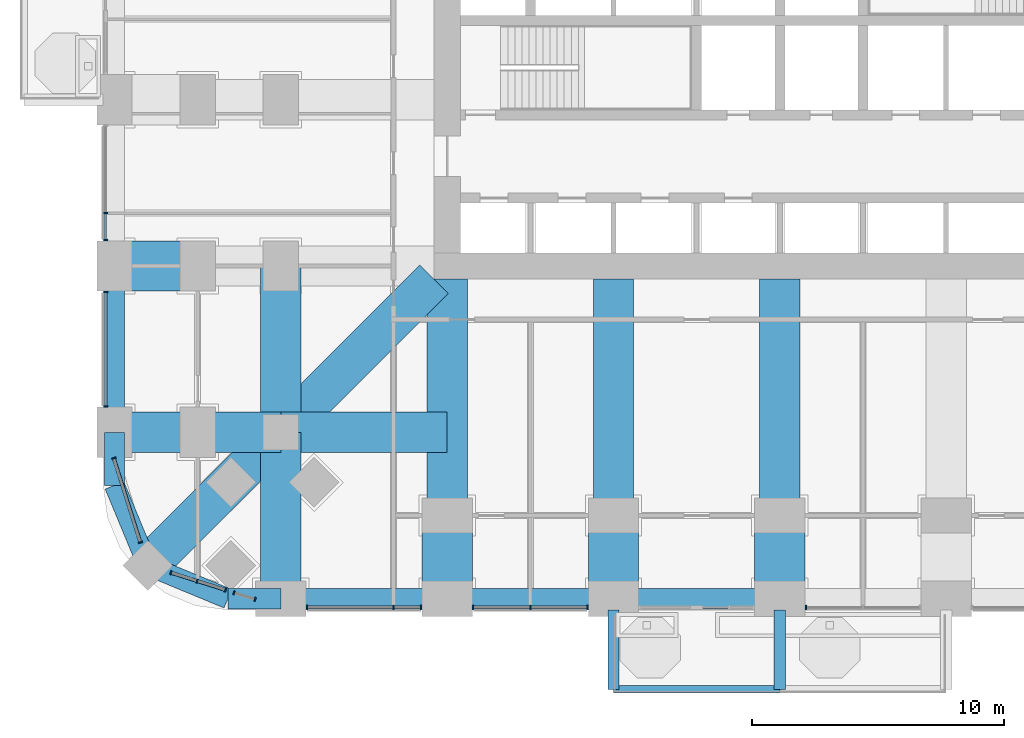
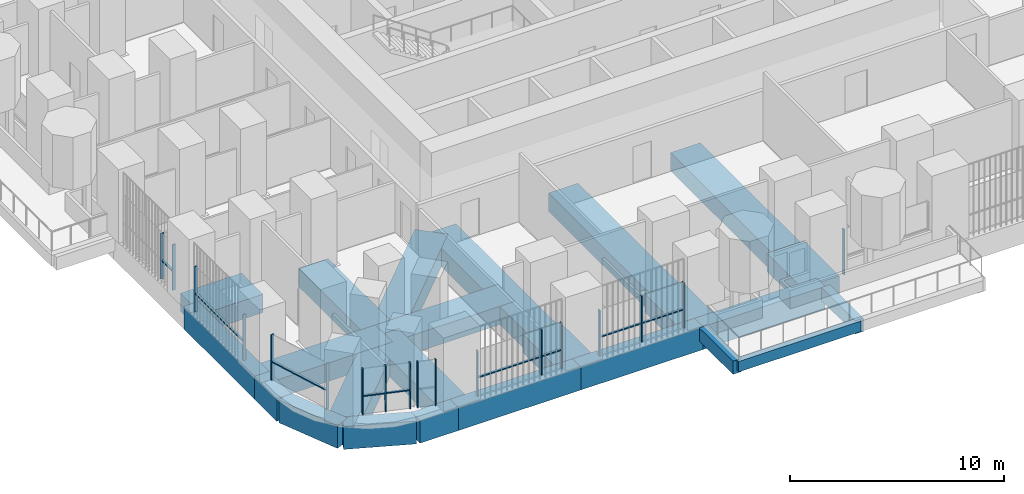
# One storey, part 2 of 25: 27 members, 24 beams, 8 elements without a shape of their own.
"""IFC4 building model written with IfcOpenShell, lengths in metres."""

from ifc_helpers import new_model, si_unit, direction, frame, origin, origin_2d, place, context, subcontext, project, spatial, rectangle, extrude, material, material_profile, profile_set, type_object, element, aggregate, save


model = new_model("IFC4")

# Units and contexts
model_context = context("Model", 3, precision=1e-05, world=origin(), true_north=direction((0.0, 1.0)))
body_context = subcontext(model_context, "Body", "Model", "MODEL_VIEW")
ifc_project = project(units=[si_unit("LENGTHUNIT", "METRE"), si_unit("AREAUNIT", "SQUARE_METRE"), si_unit("VOLUMEUNIT", "CUBIC_METRE"), si_unit("PLANEANGLEUNIT", "RADIAN"), si_unit("MASSUNIT", "GRAM", prefix="KILO")], contexts=[model_context])

# Site, building, storey
site_placement = place(None, origin())
site = spatial("IfcSite", under=ifc_project, at=site_placement, CompositionType="ELEMENT")
building_placement = place(site_placement, origin())
building = spatial("IfcBuilding", under=site, at=building_placement, Name="Cobogo Forest Laboratory Tower", CompositionType="ELEMENT")
storey_placement = place(building_placement, frame((0.0, 0.0, 67.5)))
storey = spatial("IfcBuildingStorey", under=building, at=storey_placement, Name="L15", CompositionType="ELEMENT", Elevation=67.5)

# Beams
ifc_material_1 = material(Name="Concrete HA-40 (C40/50)", Category="concrete")
ifc_material_profile_1 = material_profile(ifc_material_1, rectangle(XDim=0.449951171875, YDim=0.75, at=origin_2d()), Name="RC 450x750")
ifc_profile_set_1 = profile_set([ifc_material_profile_1], Name="Concrete HA-40 (C40/50)")
beam_type_1 = type_object("IfcBeamType", Name="Balcony cantilever beam 450x750", PredefinedType="BEAM", material=ifc_profile_set_1)
for number, where, z_axis, x_axis, name in (
    (1, (19.800048828125, -0.449951171875, -0.625), (0.0, -1.0, 0.0), (1.0, 0.0, 0.0), "CB1 BAL-S1-C1 L15"),
    (2, (26.39990234375, -0.449951171875, -0.625), (0.0, -1.0, 0.0), (1.0, 0.0, 0.0), "CB1 BAL-S1-C2 L15"),
):
    element("IfcBeam", number, at=place(storey_placement, frame(where, z_axis=z_axis, x_axis=x_axis)), inside=storey, type_object=beam_type_1, Name=name, PredefinedType="BEAM", context=body_context, shape_type="SweptSolid", body=[
        extrude(rectangle(XDim=0.449951171875, YDim=0.75, at=origin_2d()), origin(), (0.0, 0.0, 1.0), 3.150146484375),
    ])
ifc_material_profile_2 = material_profile(ifc_material_1, rectangle(XDim=0.300048828125, YDim=0.60009765625, at=origin_2d()), Name="RC 300x600")
ifc_profile_set_2 = profile_set([ifc_material_profile_2], Name="Concrete HA-40 (C40/50)")
beam_type_2 = type_object("IfcBeamType", Name="Balcony edge beam 300x600", PredefinedType="BEAM", material=ifc_profile_set_2)
beam_1_placement = place(storey_placement, frame((19.800048828125, -3.60009765625, -0.550048828125), z_axis=(1.0, 0.0, 0.0), x_axis=(0.0, 1.0, 0.0)))
element("IfcBeam", 3, at=beam_1_placement, inside=storey, type_object=beam_type_2, Name="BB1 BAL-S1-T1 L15", PredefinedType="BEAM", context=body_context, shape_type="SweptSolid", body=[
    extrude(rectangle(XDim=0.300048828125, YDim=0.60009765625, at=origin_2d()), origin(), (0.0, 0.0, 1.0), 6.599853515625),
])
ifc_material_2 = material(Name="Concrete HA-50 (C50/60)", Category="concrete")
ifc_material_profile_3 = material_profile(ifc_material_2, rectangle(XDim=2.0, YDim=1.050048828125, at=origin_2d()), Name="RC 2000x1050")
ifc_profile_set_3 = profile_set([ifc_material_profile_3], Name="Concrete HA-50 (C50/60)")
beam_type_3 = type_object("IfcBeamType", Name="End-bay wide beam 2000x1050", PredefinedType="BEAM", material=ifc_profile_set_3)
for number, where, z_axis, x_axis, name in (
    (4, (13.199951171875, 0.0, -0.824951171875), (0.0, 1.0, 0.0), (-1.0, 0.0, 0.0), "RB7 R-3-S-X L15"),
    (5, (19.800048828125, 0.0, -0.824951171875), (0.0, 1.0, 0.0), (-1.0, 0.0, 0.0), "RB7 R-4-S-X L15"),
    (6, (26.39990234375, 0.0, -0.824951171875), (0.0, 1.0, 0.0), (-1.0, 0.0, 0.0), "RB7 R-5-S-X L15"),
    (7, (0.0, 13.199951171875, -0.824951171875), (1.0, 0.0, 0.0), (0.0, 1.0, 0.0), "RB7 R-C-W-X L15"),
):
    element("IfcBeam", number, at=place(storey_placement, frame(where, z_axis=z_axis, x_axis=x_axis)), inside=storey, type_object=beam_type_3, Name=name, PredefinedType="BEAM", context=body_context, shape_type="SweptSolid", body=[
        extrude(rectangle(XDim=2.0, YDim=1.050048828125, at=origin_2d()), origin(), (0.0, 0.0, 1.0), 3.300048828125),
    ])
ifc_material_profile_4 = material_profile(ifc_material_2, rectangle(XDim=1.60009765625, YDim=1.050048828125, at=origin_2d()), Name="RC 1600x1050")
ifc_profile_set_4 = profile_set([ifc_material_profile_4], Name="Concrete HA-50 (C50/60)")
beam_type_4 = type_object("IfcBeamType", Name="Laboratory floor wide beam 1600x1050", PredefinedType="BEAM", material=ifc_profile_set_4)
for number, where, z_axis, x_axis, name in (
    (8, (13.199951171875, 12.675048828125, -0.824951171875), (0.0, -1.0, 0.0), (1.0, 0.0, 0.0), "RB8 R-3-S L15"),
    (9, (19.800048828125, 12.675048828125, -0.824951171875), (0.0, -1.0, 0.0), (1.0, 0.0, 0.0), "RB8 R-4-S L15"),
    (10, (26.39990234375, 12.675048828125, -0.824951171875), (0.0, -1.0, 0.0), (1.0, 0.0, 0.0), "RB8 R-5-S L15"),
):
    element("IfcBeam", number, at=place(storey_placement, frame(where, z_axis=z_axis, x_axis=x_axis)), inside=storey, type_object=beam_type_4, Name=name, PredefinedType="BEAM", context=body_context, shape_type="SweptSolid", body=[
        extrude(rectangle(XDim=1.60009765625, YDim=1.050048828125, at=origin_2d()), origin(), (0.0, 0.0, 1.0), 9.375),
    ])
beam_2_placement = place(storey_placement, frame((6.60009765625, 0.0, -0.824951171875), z_axis=(0.0, 1.0, 0.0), x_axis=(-1.0, 0.0, 0.0)))
element("IfcBeam", 11, at=beam_2_placement, inside=storey, type_object=beam_type_4, Name="RB8 G-SW-XF L15", PredefinedType="BEAM", context=body_context, shape_type="SweptSolid", body=[
    extrude(rectangle(XDim=1.60009765625, YDim=1.050048828125, at=origin_2d()), origin(), (0.0, 0.0, 1.0), 6.60009765625),
])
beam_3_placement = place(storey_placement, frame((6.60009765625, 6.60009765625, -0.824951171875), z_axis=(0.0, 1.0, 0.0), x_axis=(-1.0, 0.0, 0.0)))
element("IfcBeam", 12, at=beam_3_placement, inside=storey, type_object=beam_type_4, Name="RB8 G-SW-XC L15", PredefinedType="BEAM", context=body_context, shape_type="SweptSolid", body=[
    extrude(rectangle(XDim=1.60009765625, YDim=1.050048828125, at=origin_2d()), origin(), (0.0, 0.0, 1.0), 6.599853515625),
])
beam_4_placement = place(storey_placement, frame((0.0, 6.60009765625, -0.824951171875), z_axis=(1.0, 0.0, 0.0), x_axis=(0.0, 1.0, 0.0)))
element("IfcBeam", 13, at=beam_4_placement, inside=storey, type_object=beam_type_4, Name="RB8 G-SW-YF L15", PredefinedType="BEAM", context=body_context, shape_type="SweptSolid", body=[
    extrude(rectangle(XDim=1.60009765625, YDim=1.050048828125, at=origin_2d()), origin(), (0.0, 0.0, 1.0), 6.60009765625),
])
beam_5_placement = place(storey_placement, frame((6.60009765625, 6.60009765625, -0.824951171875), z_axis=(1.0, 0.0, 0.0), x_axis=(0.0, 1.0, 0.0)))
element("IfcBeam", 14, at=beam_5_placement, inside=storey, type_object=beam_type_4, Name="RB8 G-SW-YC L15", PredefinedType="BEAM", context=body_context, shape_type="SweptSolid", body=[
    extrude(rectangle(XDim=1.60009765625, YDim=1.050048828125, at=origin_2d()), origin(), (0.0, 0.0, 1.0), 6.599853515625),
])
beam_6_placement = place(storey_placement, frame((1.318115234375, 1.318115234375, -0.824951171875), z_axis=(0.707106781187, 0.707106781187, 0.0), x_axis=(-0.707106781187, 0.707106781187, 0.0)))
element("IfcBeam", 15, at=beam_6_placement, inside=storey, type_object=beam_type_4, Name="RB8 G-SW-D1 L15", PredefinedType="BEAM", context=body_context, shape_type="SweptSolid", body=[
    extrude(rectangle(XDim=1.60009765625, YDim=1.050048828125, at=origin_2d()), origin(), (0.0, 0.0, 1.0), 7.469970703125),
])
beam_7_placement = place(storey_placement, frame((6.60009765625, 6.60009765625, -0.824951171875), z_axis=(0.707106781187, 0.707106781187, 0.0), x_axis=(-0.707106781187, 0.707106781187, 0.0)))
element("IfcBeam", 16, at=beam_7_placement, inside=storey, type_object=beam_type_4, Name="RB8 G-SW-D2 L15", PredefinedType="BEAM", context=body_context, shape_type="SweptSolid", body=[
    extrude(rectangle(XDim=1.60009765625, YDim=1.050048828125, at=origin_2d()), origin(), (0.0, 0.0, 1.0), 8.59130859375),
])

# Curtain wall, members
ifc_material_3 = material(Name="Aluminium curtain wall", Category="aluminium")
curtain_wall_type = type_object("IfcCurtainWallType", Name="CW-1 unitised curtain wall, clear glazing, laboratory floors zones A and B", PredefinedType="USERDEFINED", material=ifc_material_3)
curtain_wall_1_placement = place(storey_placement, origin())
curtain_wall_1 = element("IfcCurtainWall", 17, at=curtain_wall_1_placement, inside=storey, type_object=curtain_wall_type, Name="Curtain wall 01 L15", ObjectType="UNITISED CURTAIN WALL", PredefinedType="USERDEFINED")
ifc_material_4 = material(Name="Aluminium mullion", Category="aluminium")
ifc_material_profile_5 = material_profile(ifc_material_4, rectangle(XDim=0.06005859375, YDim=0.159912109375, at=origin_2d()), Name="AL 60x160")
ifc_profile_set_5 = profile_set([ifc_material_profile_5], Name="Aluminium mullion")
member_type_1 = type_object("IfcMemberType", Name="MU-1 aluminium mullion 60x160", PredefinedType="MULLION", material=ifc_profile_set_5)
member_1_placement = place(storey_placement, frame((7.6298828125, -0.35009765625, 0.0), z_axis=(0.0, 0.0, 1.0), x_axis=(1.0, 0.0, 0.0)))
member_1 = element("IfcMember", 18, at=member_1_placement, type_object=member_type_1, Name="CW-1 mullion 1", PredefinedType="MULLION", context=body_context, shape_type="SweptSolid", body=[
    extrude(rectangle(XDim=0.06005859375, YDim=0.159912109375, at=origin_2d()), origin(), (0.0, 0.0, 1.0), 2.60009765625),
])
member_2_placement = place(storey_placement, frame((11.074951171875, -0.35009765625, 0.0), z_axis=(0.0, 0.0, 1.0), x_axis=(1.0, 0.0, 0.0)))
member_2 = element("IfcMember", 19, at=member_2_placement, type_object=member_type_1, Name="CW-1 mullion 2", PredefinedType="MULLION", context=body_context, shape_type="SweptSolid", body=[
    extrude(rectangle(XDim=0.06005859375, YDim=0.159912109375, at=origin_2d()), origin(), (0.0, 0.0, 1.0), 2.60009765625),
])
member_3_placement = place(storey_placement, frame((12.169921875, -0.35009765625, 0.0), z_axis=(0.0, 0.0, 1.0), x_axis=(1.0, 0.0, 0.0)))
member_3 = element("IfcMember", 20, at=member_3_placement, type_object=member_type_1, Name="CW-1 mullion 3", PredefinedType="MULLION", context=body_context, shape_type="SweptSolid", body=[
    extrude(rectangle(XDim=0.06005859375, YDim=0.159912109375, at=origin_2d()), origin(), (0.0, 0.0, 1.0), 2.60009765625),
])

curtain_wall_2_placement = place(storey_placement, origin())
curtain_wall_2 = element("IfcCurtainWall", 21, at=curtain_wall_2_placement, inside=storey, type_object=curtain_wall_type, Name="Curtain wall 02 L15", ObjectType="UNITISED CURTAIN WALL", PredefinedType="USERDEFINED")
member_4_placement = place(storey_placement, frame((14.22998046875, -0.35009765625, 0.0), z_axis=(0.0, 0.0, 1.0), x_axis=(1.0, 0.0, 0.0)))
member_4 = element("IfcMember", 22, at=member_4_placement, type_object=member_type_1, Name="CW-1 mullion 1", PredefinedType="MULLION", context=body_context, shape_type="SweptSolid", body=[
    extrude(rectangle(XDim=0.06005859375, YDim=0.159912109375, at=origin_2d()), origin(), (0.0, 0.0, 1.0), 2.60009765625),
])
member_5_placement = place(storey_placement, frame((16.5, -0.35009765625, 0.0), z_axis=(0.0, 0.0, 1.0), x_axis=(1.0, 0.0, 0.0)))
member_5 = element("IfcMember", 23, at=member_5_placement, type_object=member_type_1, Name="CW-1 mullion 2", PredefinedType="MULLION", context=body_context, shape_type="SweptSolid", body=[
    extrude(rectangle(XDim=0.06005859375, YDim=0.159912109375, at=origin_2d()), origin(), (0.0, 0.0, 1.0), 2.60009765625),
])
member_6_placement = place(storey_placement, frame((18.77001953125, -0.35009765625, 0.0), z_axis=(0.0, 0.0, 1.0), x_axis=(1.0, 0.0, 0.0)))
member_6 = element("IfcMember", 24, at=member_6_placement, type_object=member_type_1, Name="CW-1 mullion 3", PredefinedType="MULLION", context=body_context, shape_type="SweptSolid", body=[
    extrude(rectangle(XDim=0.06005859375, YDim=0.159912109375, at=origin_2d()), origin(), (0.0, 0.0, 1.0), 2.60009765625),
])

# Curtain wall, member
curtain_wall_3_placement = place(storey_placement, origin())
curtain_wall_3 = element("IfcCurtainWall", 25, at=curtain_wall_3_placement, inside=storey, type_object=curtain_wall_type, Name="Curtain wall 04 L15", ObjectType="UNITISED CURTAIN WALL", PredefinedType="USERDEFINED")
member_7_placement = place(storey_placement, frame((27.429931640625, -0.35009765625, 0.0), z_axis=(0.0, 0.0, 1.0), x_axis=(1.0, 0.0, 0.0)))
member_7 = element("IfcMember", 26, at=member_7_placement, type_object=member_type_1, Name="CW-1 mullion 1", PredefinedType="MULLION", context=body_context, shape_type="SweptSolid", body=[
    extrude(rectangle(XDim=0.06005859375, YDim=0.159912109375, at=origin_2d()), origin(), (0.0, 0.0, 1.0), 2.60009765625),
])
aggregate(curtain_wall_3, [member_7])

# Curtain wall, members
curtain_wall_4_placement = place(storey_placement, origin())
curtain_wall_4 = element("IfcCurtainWall", 27, at=curtain_wall_4_placement, inside=storey, type_object=curtain_wall_type, Name="Curtain wall 30 L15", ObjectType="UNITISED CURTAIN WALL", PredefinedType="USERDEFINED")
member_8_placement = place(storey_placement, frame((-0.35009765625, 15.300048828125, 0.0), z_axis=(0.0, 0.0, 1.0), x_axis=(0.0, -1.0, 0.0)))
member_8 = element("IfcMember", 28, at=member_8_placement, type_object=member_type_1, Name="CW-1 mullion 2", PredefinedType="MULLION", context=body_context, shape_type="SweptSolid", body=[
    extrude(rectangle(XDim=0.06005859375, YDim=0.159912109375, at=origin_2d()), origin(), (0.0, 0.0, 1.0), 2.60009765625),
])
member_9_placement = place(storey_placement, frame((-0.35009765625, 14.22998046875, 0.0), z_axis=(0.0, 0.0, 1.0), x_axis=(0.0, -1.0, 0.0)))
member_9 = element("IfcMember", 29, at=member_9_placement, type_object=member_type_1, Name="CW-1 mullion 3", PredefinedType="MULLION", context=body_context, shape_type="SweptSolid", body=[
    extrude(rectangle(XDim=0.06005859375, YDim=0.159912109375, at=origin_2d()), origin(), (0.0, 0.0, 1.0), 2.60009765625),
])

curtain_wall_5_placement = place(storey_placement, origin())
curtain_wall_5 = element("IfcCurtainWall", 30, at=curtain_wall_5_placement, inside=storey, type_object=curtain_wall_type, Name="Curtain wall 31 L15", ObjectType="UNITISED CURTAIN WALL", PredefinedType="USERDEFINED")
member_10_placement = place(storey_placement, frame((-0.35009765625, 12.169921875, 0.0), z_axis=(0.0, 0.0, 1.0), x_axis=(0.0, -1.0, 0.0)))
member_10 = element("IfcMember", 31, at=member_10_placement, type_object=member_type_1, Name="CW-1 mullion 1", PredefinedType="MULLION", context=body_context, shape_type="SweptSolid", body=[
    extrude(rectangle(XDim=0.06005859375, YDim=0.159912109375, at=origin_2d()), origin(), (0.0, 0.0, 1.0), 2.60009765625),
])
member_11_placement = place(storey_placement, frame((-0.35009765625, 7.6298828125, 0.0), z_axis=(0.0, 0.0, 1.0), x_axis=(0.0, -1.0, 0.0)))
member_11 = element("IfcMember", 32, at=member_11_placement, type_object=member_type_1, Name="CW-1 mullion 2", PredefinedType="MULLION", context=body_context, shape_type="SweptSolid", body=[
    extrude(rectangle(XDim=0.06005859375, YDim=0.159912109375, at=origin_2d()), origin(), (0.0, 0.0, 1.0), 2.60009765625),
])

curtain_wall_6_placement = place(storey_placement, origin())
curtain_wall_6 = element("IfcCurtainWall", 33, at=curtain_wall_6_placement, inside=storey, type_object=curtain_wall_type, Name="Curtain wall 32 L15", ObjectType="UNITISED CURTAIN WALL", PredefinedType="USERDEFINED")
member_12_placement = place(storey_placement, frame((-0.025146484375, 5.5712890625, 0.0), z_axis=(0.0, 0.0, 1.0), x_axis=(0.301135433696, -0.953581381201, 0.0)))
member_12 = element("IfcMember", 34, at=member_12_placement, type_object=member_type_1, Name="CW-1 mullion 1", PredefinedType="MULLION", context=body_context, shape_type="SweptSolid", body=[
    extrude(rectangle(XDim=0.06005859375, YDim=0.159912109375, at=origin_2d()), origin(), (0.0, 0.0, 1.0), 2.60009765625),
])
member_13_placement = place(storey_placement, frame((1.02734375, 2.23876953125, 0.0), z_axis=(0.0, 0.0, 1.0), x_axis=(0.301135433696, -0.953581381201, 0.0)))
member_13 = element("IfcMember", 35, at=member_13_placement, type_object=member_type_1, Name="CW-1 mullion 2", PredefinedType="MULLION", context=body_context, shape_type="SweptSolid", body=[
    extrude(rectangle(XDim=0.06005859375, YDim=0.159912109375, at=origin_2d()), origin(), (0.0, 0.0, 1.0), 2.60009765625),
])

curtain_wall_7_placement = place(storey_placement, origin())
curtain_wall_7 = element("IfcCurtainWall", 36, at=curtain_wall_7_placement, inside=storey, type_object=curtain_wall_type, Name="Curtain wall 33 L15", ObjectType="UNITISED CURTAIN WALL", PredefinedType="USERDEFINED")
member_14_placement = place(storey_placement, frame((2.23876953125, 1.02734375, 0.0), z_axis=(0.0, 0.0, 1.0), x_axis=(0.953581409645, -0.301135343623, 0.0)))
member_14 = element("IfcMember", 37, at=member_14_placement, type_object=member_type_1, Name="CW-1 mullion 1", PredefinedType="MULLION", context=body_context, shape_type="SweptSolid", body=[
    extrude(rectangle(XDim=0.06005859375, YDim=0.159912109375, at=origin_2d()), origin(), (0.0, 0.0, 1.0), 2.60009765625),
])
member_15_placement = place(storey_placement, frame((3.27587890625, 0.69970703125, 0.0), z_axis=(0.0, 0.0, 1.0), x_axis=(0.953581409645, -0.301135343623, 0.0)))
member_15 = element("IfcMember", 38, at=member_15_placement, type_object=member_type_1, Name="CW-1 mullion 2", PredefinedType="MULLION", context=body_context, shape_type="SweptSolid", body=[
    extrude(rectangle(XDim=0.06005859375, YDim=0.159912109375, at=origin_2d()), origin(), (0.0, 0.0, 1.0), 2.60009765625),
])
member_16_placement = place(storey_placement, frame((4.39697265625, 0.345703125, 0.0), z_axis=(0.0, 0.0, 1.0), x_axis=(0.953581409645, -0.301135343623, 0.0)))
member_16 = element("IfcMember", 39, at=member_16_placement, type_object=member_type_1, Name="CW-1 mullion 3", PredefinedType="MULLION", context=body_context, shape_type="SweptSolid", body=[
    extrude(rectangle(XDim=0.06005859375, YDim=0.159912109375, at=origin_2d()), origin(), (0.0, 0.0, 1.0), 2.60009765625),
])

curtain_wall_8_placement = place(storey_placement, origin())
curtain_wall_8 = element("IfcCurtainWall", 40, at=curtain_wall_8_placement, inside=storey, type_object=curtain_wall_type, Name="Curtain wall 34 L15", ObjectType="UNITISED CURTAIN WALL", PredefinedType="USERDEFINED")
member_17_placement = place(storey_placement, frame((4.74658203125, 0.2353515625, 0.0), z_axis=(0.0, 0.0, 1.0), x_axis=(0.953581406818, -0.301135352577, 0.0)))
member_17 = element("IfcMember", 41, at=member_17_placement, type_object=member_type_1, Name="CW-1 mullion 1", PredefinedType="MULLION", context=body_context, shape_type="SweptSolid", body=[
    extrude(rectangle(XDim=0.06005859375, YDim=0.159912109375, at=origin_2d()), origin(), (0.0, 0.0, 1.0), 2.60009765625),
])
member_18_placement = place(storey_placement, frame((5.5712890625, -0.025146484375, 0.0), z_axis=(0.0, 0.0, 1.0), x_axis=(0.953581406818, -0.301135352577, 0.0)))
member_18 = element("IfcMember", 42, at=member_18_placement, type_object=member_type_1, Name="CW-1 mullion 2", PredefinedType="MULLION", context=body_context, shape_type="SweptSolid", body=[
    extrude(rectangle(XDim=0.06005859375, YDim=0.159912109375, at=origin_2d()), origin(), (0.0, 0.0, 1.0), 2.60009765625),
])
aggregate(curtain_wall_8, [member_17, member_18])

# Beams
ifc_material_profile_6 = material_profile(ifc_material_1, rectangle(XDim=0.800048828125, YDim=1.300048828125, at=origin_2d()), Name="RC 800x1300")
ifc_profile_set_6 = profile_set([ifc_material_profile_6], Name="Concrete HA-40 (C40/50)")
beam_type_5 = type_object("IfcBeamType", Name="Perimeter edge beam 800x1300", PredefinedType="BEAM", material=ifc_profile_set_6)
beam_8_placement = place(storey_placement, frame((6.60009765625, 0.0, -0.949951171875), z_axis=(1.0, 0.0, 0.0), x_axis=(0.0, 1.0, 0.0)))
element("IfcBeam", 43, at=beam_8_placement, inside=storey, type_object=beam_type_5, Name="EB2 E-S1 L15", PredefinedType="BEAM", context=body_context, shape_type="SweptSolid", body=[
    extrude(rectangle(XDim=0.800048828125, YDim=1.300048828125, at=origin_2d()), origin(), (0.0, 0.0, 1.0), 6.599853515625),
])
beam_9_placement = place(storey_placement, frame((13.199951171875, 0.0, -0.949951171875), z_axis=(1.0, 0.0, 0.0), x_axis=(0.0, 1.0, 0.0)))
element("IfcBeam", 44, at=beam_9_placement, inside=storey, type_object=beam_type_5, Name="EB2 E-S2 L15", PredefinedType="BEAM", context=body_context, shape_type="SweptSolid", body=[
    extrude(rectangle(XDim=0.800048828125, YDim=1.300048828125, at=origin_2d()), origin(), (0.0, 0.0, 1.0), 6.60009765625),
])
for number, where, z_axis, x_axis, name in (
    (45, (19.800048828125, 0.0, -0.949951171875), (1.0, 0.0, 0.0), (0.0, 1.0, 0.0), "EB2 E-S3 L15"),
    (46, (0.0, 6.60009765625, -0.949951171875), (0.0, 1.0, 0.0), (-1.0, 0.0, 0.0), "EB2 E-W1 L15"),
):
    element("IfcBeam", number, at=place(storey_placement, frame(where, z_axis=z_axis, x_axis=x_axis)), inside=storey, type_object=beam_type_5, Name=name, PredefinedType="BEAM", context=body_context, shape_type="SweptSolid", body=[
        extrude(rectangle(XDim=0.800048828125, YDim=1.300048828125, at=origin_2d()), origin(), (0.0, 0.0, 1.0), 6.599853515625),
    ])
beam_10_placement = place(storey_placement, frame((6.60009765625, 0.0, -0.949951171875), z_axis=(-1.0, 0.0, 0.0), x_axis=(0.0, -1.0, 0.0)))
element("IfcBeam", 47, at=beam_10_placement, inside=storey, type_object=beam_type_5, Name="EB2 E-SWS1 L15", PredefinedType="BEAM", context=body_context, shape_type="SweptSolid", body=[
    extrude(rectangle(XDim=0.800048828125, YDim=1.300048828125, at=origin_2d()), origin(), (0.0, 0.0, 1.0), 2.10009765625),
])
beam_11_placement = place(storey_placement, frame((4.5, 0.0, -0.949951171875), z_axis=(-0.923865631356, 0.382716990999, 0.0), x_axis=(-0.382716990999, -0.923865631356, 0.0)))
element("IfcBeam", 48, at=beam_11_placement, inside=storey, type_object=beam_type_5, Name="EB2 E-SWS2 L15", PredefinedType="BEAM", context=body_context, shape_type="SweptSolid", body=[
    extrude(rectangle(XDim=0.800048828125, YDim=1.300048828125, at=origin_2d()), origin(), (0.0, 0.0, 1.0), 3.444091796875),
])
beam_12_placement = place(storey_placement, frame((0.0, 6.60009765625, -0.949951171875), z_axis=(0.0, -1.0, 0.0), x_axis=(1.0, 0.0, 0.0)))
element("IfcBeam", 49, at=beam_12_placement, inside=storey, type_object=beam_type_5, Name="EB2 E-SWW1 L15", PredefinedType="BEAM", context=body_context, shape_type="SweptSolid", body=[
    extrude(rectangle(XDim=0.800048828125, YDim=1.300048828125, at=origin_2d()), origin(), (0.0, 0.0, 1.0), 2.10009765625),
])
beam_13_placement = place(storey_placement, frame((0.0, 4.5, -0.949951171875), z_axis=(0.382716990999, -0.923865631356, 0.0), x_axis=(0.923865631356, 0.382716990999, 0.0)))
element("IfcBeam", 50, at=beam_13_placement, inside=storey, type_object=beam_type_5, Name="EB2 E-SWW2 L15", PredefinedType="BEAM", context=body_context, shape_type="SweptSolid", body=[
    extrude(rectangle(XDim=0.800048828125, YDim=1.300048828125, at=origin_2d()), origin(), (0.0, 0.0, 1.0), 3.444091796875),
])

# Member
ifc_material_5 = material(Name="Aluminium transom", Category="aluminium")
ifc_material_profile_7 = material_profile(ifc_material_5, rectangle(XDim=0.1201171875, YDim=0.06005859375, at=origin_2d()), Name="AL 60x120")
ifc_profile_set_7 = profile_set([ifc_material_profile_7], Name="Aluminium transom")
member_type_2 = type_object("IfcMemberType", Name="TR-1 aluminium transom 60x120", PredefinedType="USERDEFINED", material=ifc_profile_set_7)
member_19_placement = place(storey_placement, frame((7.659912109375, -0.35009765625, 1.050048828125), z_axis=(1.0, 0.0, 0.0), x_axis=(0.0, 1.0, 0.0)))
member_19 = element("IfcMember", 51, at=member_19_placement, type_object=member_type_2, Name="CW-1 transom 1.1", ObjectType="TRANSOM", PredefinedType="USERDEFINED", context=body_context, shape_type="SweptSolid", body=[
    extrude(rectangle(XDim=0.1201171875, YDim=0.06005859375, at=origin_2d()), origin(), (0.0, 0.0, 1.0), 3.385009765625),
])

member_20_placement = place(storey_placement, frame((11.10498046875, -0.35009765625, 1.050048828125), z_axis=(1.0, 0.0, 0.0), x_axis=(0.0, 1.0, 0.0)))
member_20 = element("IfcMember", 52, at=member_20_placement, type_object=member_type_2, Name="CW-1 transom 2.1", ObjectType="TRANSOM", PredefinedType="USERDEFINED", context=body_context, shape_type="SweptSolid", body=[
    extrude(rectangle(XDim=0.1201171875, YDim=0.06005859375, at=origin_2d()), origin(), (0.0, 0.0, 1.0), 1.034912109375),
])

aggregate(curtain_wall_1, [member_1, member_2, member_3, member_19, member_20])

member_21_placement = place(storey_placement, frame((14.260009765625, -0.35009765625, 1.050048828125), z_axis=(1.0, 0.0, 0.0), x_axis=(0.0, 1.0, 0.0)))
member_21 = element("IfcMember", 53, at=member_21_placement, type_object=member_type_2, Name="CW-1 transom 1.1", ObjectType="TRANSOM", PredefinedType="USERDEFINED", context=body_context, shape_type="SweptSolid", body=[
    extrude(rectangle(XDim=0.1201171875, YDim=0.06005859375, at=origin_2d()), origin(), (0.0, 0.0, 1.0), 2.2099609375),
])

member_22_placement = place(storey_placement, frame((16.530029296875, -0.35009765625, 1.050048828125), z_axis=(1.0, 0.0, 0.0), x_axis=(0.0, 1.0, 0.0)))
member_22 = element("IfcMember", 54, at=member_22_placement, type_object=member_type_2, Name="CW-1 transom 2.1", ObjectType="TRANSOM", PredefinedType="USERDEFINED", context=body_context, shape_type="SweptSolid", body=[
    extrude(rectangle(XDim=0.1201171875, YDim=0.06005859375, at=origin_2d()), origin(), (0.0, 0.0, 1.0), 2.2099609375),
])

aggregate(curtain_wall_2, [member_4, member_5, member_6, member_21, member_22])

member_23_placement = place(storey_placement, frame((-0.35009765625, 15.27001953125, 1.050048828125), z_axis=(0.0, -1.0, 0.0), x_axis=(1.0, 0.0, 0.0)))
member_23 = element("IfcMember", 55, at=member_23_placement, type_object=member_type_2, Name="CW-1 transom 2.1", ObjectType="TRANSOM", PredefinedType="USERDEFINED", context=body_context, shape_type="SweptSolid", body=[
    extrude(rectangle(XDim=0.1201171875, YDim=0.06005859375, at=origin_2d()), origin(), (0.0, 0.0, 1.0), 1.010009765625),
])

aggregate(curtain_wall_4, [member_8, member_9, member_23])

member_24_placement = place(storey_placement, frame((-0.35009765625, 12.139892578125, 1.050048828125), z_axis=(0.0, -1.0, 0.0), x_axis=(1.0, 0.0, 0.0)))
member_24 = element("IfcMember", 56, at=member_24_placement, type_object=member_type_2, Name="CW-1 transom 1.1", ObjectType="TRANSOM", PredefinedType="USERDEFINED", context=body_context, shape_type="SweptSolid", body=[
    extrude(rectangle(XDim=0.1201171875, YDim=0.06005859375, at=origin_2d()), origin(), (0.0, 0.0, 1.0), 4.47998046875),
])

aggregate(curtain_wall_5, [member_10, member_11, member_24])

member_25_placement = place(storey_placement, frame((-0.01611328125, 5.542724609375, 1.050048828125), z_axis=(0.301155179686, -0.953575145308, 0.0), x_axis=(0.953575145308, 0.301155179686, 0.0)))
member_25 = element("IfcMember", 57, at=member_25_placement, type_object=member_type_2, Name="CW-1 transom 1.1", ObjectType="TRANSOM", PredefinedType="USERDEFINED", context=body_context, shape_type="SweptSolid", body=[
    extrude(rectangle(XDim=0.1201171875, YDim=0.06005859375, at=origin_2d()), origin(), (0.0, 0.0, 1.0), 3.434814453125),
])

aggregate(curtain_wall_6, [member_12, member_13, member_25])

member_26_placement = place(storey_placement, frame((2.267333984375, 1.018310546875, 1.050048828125), z_axis=(0.953553938535, -0.301222320394, 0.0), x_axis=(0.301222320394, 0.953553938535, 0.0)))
member_26 = element("IfcMember", 58, at=member_26_placement, type_object=member_type_2, Name="CW-1 transom 1.1", ObjectType="TRANSOM", PredefinedType="USERDEFINED", context=body_context, shape_type="SweptSolid", body=[
    extrude(rectangle(XDim=0.1201171875, YDim=0.06005859375, at=origin_2d()), origin(), (0.0, 0.0, 1.0), 1.02783203125),
])

member_27_placement = place(storey_placement, frame((3.304443359375, 0.690673828125, 1.050048828125), z_axis=(0.953595892327, -0.301089478624, 0.0), x_axis=(0.301089478624, 0.953595892327, 0.0)))
member_27 = element("IfcMember", 59, at=member_27_placement, type_object=member_type_2, Name="CW-1 transom 2.1", ObjectType="TRANSOM", PredefinedType="USERDEFINED", context=body_context, shape_type="SweptSolid", body=[
    extrude(rectangle(XDim=0.1201171875, YDim=0.06005859375, at=origin_2d()), origin(), (0.0, 0.0, 1.0), 1.11572265625),
])

aggregate(curtain_wall_7, [member_14, member_15, member_16, member_26, member_27])

save(model, "model.ifc")
